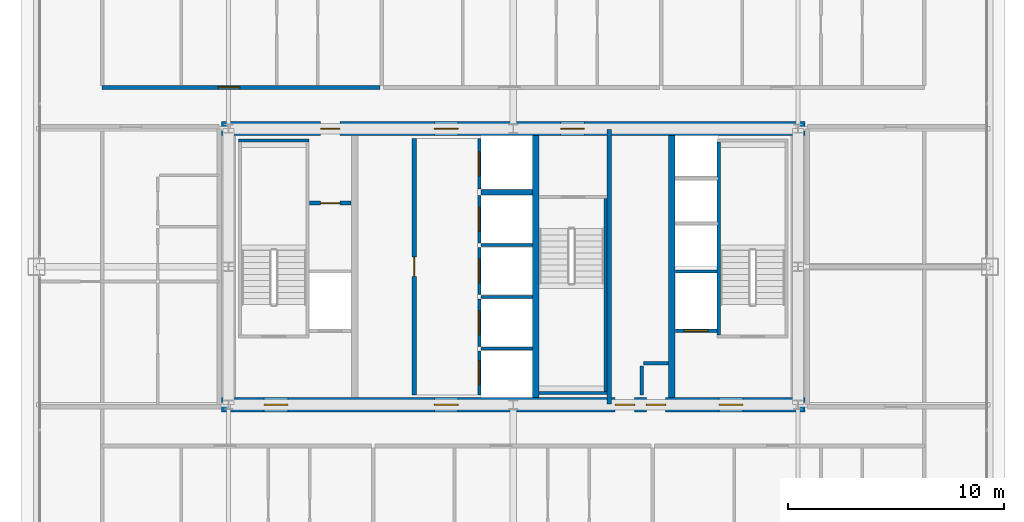
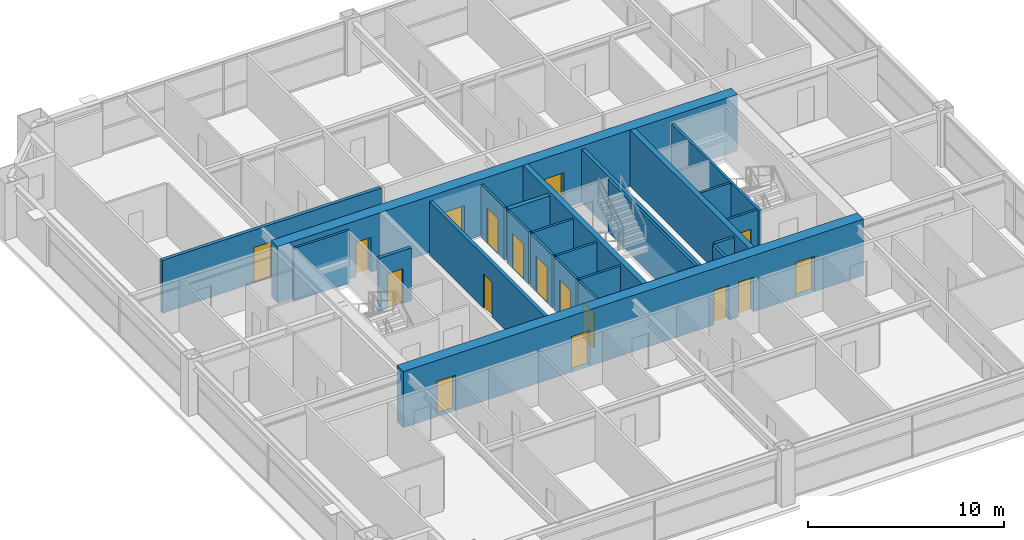
# One storey, part 34 of 38: 25 walls, 17 doors, 17 openings.
"""IFC4 building model written with IfcOpenShell, lengths in metres."""

from ifc_helpers import new_model, si_unit, direction, frame, frame_2d, origin, place, context, subcontext, project, spatial, rectangle, extrude, source, transform, mapped, material, layer, layer_set, type_object, element, fill, save


model = new_model("IFC4")

# Units and contexts
model_context = context("Model", 3, precision=1e-05, world=origin(), true_north=direction((0.0, 1.0)))
body_context = subcontext(model_context, "Body", "Model", "MODEL_VIEW")
ifc_project = project(units=[si_unit("LENGTHUNIT", "METRE"), si_unit("AREAUNIT", "SQUARE_METRE"), si_unit("VOLUMEUNIT", "CUBIC_METRE"), si_unit("PLANEANGLEUNIT", "RADIAN"), si_unit("MASSUNIT", "GRAM", prefix="KILO"), si_unit("THERMODYNAMICTEMPERATUREUNIT", "KELVIN"), si_unit("POWERUNIT", "WATT")], contexts=[model_context])

# Site, building, storey
site_placement = place(None, origin())
site = spatial("IfcSite", under=ifc_project, at=site_placement, CompositionType="ELEMENT")
building_placement = place(site_placement, origin())
building = spatial("IfcBuilding", under=site, at=building_placement, Name="Yuzanri Waterfront Tower", CompositionType="ELEMENT")
storey_placement = place(building_placement, frame((0.0, 0.0, 209.0)))
storey = spatial("IfcBuildingStorey", under=building, at=storey_placement, Name="L55", CompositionType="ELEMENT", Elevation=209.0)

# Wall, openings, doors
ifc_material_1 = material(Name="Concrete C50", Category="concrete")
ifc_layer_1 = layer(ifc_material_1, 0.64990234375)
ifc_layer_set_1 = layer_set([ifc_layer_1], Name="Concrete C50")
wall_type_1 = type_object("IfcWallType", Name="Concrete C50 Mid Zone Core Shear Wall 650", PredefinedType="SHEAR", material=ifc_layer_set_1)
wall_1_placement = place(storey_placement, frame((23.47509765625, 19.39990234375, 0.0), z_axis=(0.0, 0.0, 1.0), x_axis=(1.0, 0.0, 0.0)))
wall_1 = element("IfcWall", 1, at=wall_1_placement, inside=storey, type_object=wall_type_1, Name="L55 Core South Shear Wall", PredefinedType="SHEAR", context=body_context, shape_type="SweptSolid", body=[
    extrude(rectangle(XDim=27.0498046875, YDim=0.64990234375, at=frame_2d((13.52490234375, 0.0))), origin(), (0.0, 0.0, 1.0), 3.5),
])
opening_1_placement = place(wall_1_placement, frame((1.97509765625, 0.0, 0.0)))
opening_1 = element("IfcOpeningElement", 2, at=opening_1_placement, cuts=wall_1, Name="Opening FD-1100", PredefinedType="OPENING", context=body_context, shape_type="SweptSolid", body=[
    extrude(rectangle(XDim=1.10009765625, YDim=2.199951171875, at=frame_2d((0.550048828125, 1.10009765625))), frame((0.0, 0.33984375, 0.0), z_axis=(0.0, -1.0, 0.0), x_axis=(1.0, 0.0, 0.0)), (0.0, 0.0, 1.0), 0.6796875),
])
opening_2_placement = place(wall_1_placement, frame((9.875, 0.0, 0.0)))
opening_2 = element("IfcOpeningElement", 3, at=opening_2_placement, cuts=wall_1, Name="Opening FD-1100", PredefinedType="OPENING", context=body_context, shape_type="SweptSolid", body=[
    extrude(rectangle(XDim=1.10009765625, YDim=2.199951171875, at=frame_2d((0.550048828125, 1.10009765625))), frame((0.0, 0.33984375, 0.0), z_axis=(0.0, -1.0, 0.0), x_axis=(1.0, 0.0, 0.0)), (0.0, 0.0, 1.0), 0.6796875),
])
opening_3_placement = place(wall_1_placement, frame((23.074951171875, 0.0, 0.0)))
opening_3 = element("IfcOpeningElement", 4, at=opening_3_placement, cuts=wall_1, Name="Opening FD-1100", PredefinedType="OPENING", context=body_context, shape_type="SweptSolid", body=[
    extrude(rectangle(XDim=1.10009765625, YDim=2.199951171875, at=frame_2d((0.550048828125, 1.10009765625))), frame((0.0, 0.33984375, 0.0), z_axis=(0.0, -1.0, 0.0), x_axis=(1.0, 0.0, 0.0)), (0.0, 0.0, 1.0), 0.6796875),
])
opening_4_placement = place(wall_1_placement, frame((19.695068359375, 0.0, 0.0)))
opening_4 = element("IfcOpeningElement", 5, at=opening_4_placement, cuts=wall_1, Name="Opening FD-0900", PredefinedType="OPENING", context=body_context, shape_type="SweptSolid", body=[
    extrude(rectangle(XDim=0.89990234375, YDim=2.14990234375, at=frame_2d((0.449951171875, 1.074951171875))), frame((0.0, 0.33984375, 0.0), z_axis=(0.0, -1.0, 0.0), x_axis=(1.0, 0.0, 0.0)), (0.0, 0.0, 1.0), 0.6796875),
])
opening_5_placement = place(wall_1_placement, frame((18.2548828125, 0.0, 0.0)))
opening_5 = element("IfcOpeningElement", 6, at=opening_5_placement, cuts=wall_1, Name="Opening FD-0900", PredefinedType="OPENING", context=body_context, shape_type="SweptSolid", body=[
    extrude(rectangle(XDim=0.89990234375, YDim=2.14990234375, at=frame_2d((0.449951171875, 1.074951171875))), frame((0.0, 0.33984375, 0.0), z_axis=(0.0, -1.0, 0.0), x_axis=(1.0, 0.0, 0.0)), (0.0, 0.0, 1.0), 0.6796875),
])
ifc_material_2 = material(Name="Painted Galvanized Fire Steel", Category="steel")
door_type_1 = type_object("IfcDoorType", Name="Smoke-Proof Stair and Lobby Fire Door 1100x2200", OperationType="NOTDEFINED", PredefinedType="DOOR", material=ifc_material_2)
shared_shape_1 = source(origin(), body_context, "Body", "SweptSolid", [
    extrude(rectangle(XDim=1.10009765625, YDim=2.199951171875, at=frame_2d((0.550048828125, 1.10009765625))), frame((0.0, 0.02490234375, 0.0), z_axis=(0.0, -1.0, 0.0), x_axis=(1.0, 0.0, 0.0)), (0.0, 0.0, 1.0), 0.050048828125),
])
door_1_placement = place(opening_1_placement, origin())
door_1 = element("IfcDoor", 7, at=door_1_placement, inside=storey, type_object=door_type_1, Name="L55 West Firefighting Lobby Door", OperationType="SINGLE_SWING_RIGHT", OverallHeight=2.199951171875, OverallWidth=1.10009765625, PredefinedType="DOOR", context=body_context, shape_type="MappedRepresentation", body=[
    mapped(shared_shape_1, transform((0.0, 0.0, 0.0), scale=1.0)),
])
fill(opening_1, door_1)
door_2_placement = place(opening_2_placement, origin())
door_2 = element("IfcDoor", 8, at=door_2_placement, inside=storey, type_object=door_type_1, Name="L55 Central Lift Lobby South Door", OperationType="SINGLE_SWING_LEFT", OverallHeight=2.199951171875, OverallWidth=1.10009765625, PredefinedType="DOOR", context=body_context, shape_type="MappedRepresentation", body=[
    mapped(shared_shape_1, transform((0.0, 0.0, 0.0), scale=1.0)),
])
fill(opening_2, door_2)
door_3_placement = place(opening_3_placement, origin())
door_3 = element("IfcDoor", 9, at=door_3_placement, inside=storey, type_object=door_type_1, Name="L55 East Firefighting Lobby Door", OperationType="SINGLE_SWING_RIGHT", OverallHeight=2.199951171875, OverallWidth=1.10009765625, PredefinedType="DOOR", context=body_context, shape_type="MappedRepresentation", body=[
    mapped(shared_shape_1, transform((0.0, 0.0, 0.0), scale=1.0)),
])
fill(opening_3, door_3)
ifc_material_3 = material(Name="Painted Galvanized Fire Steel", Category="steel")
door_type_2 = type_object("IfcDoorType", Name="Riser and Service Room Fire Door 900x2150", OperationType="NOTDEFINED", PredefinedType="DOOR", material=ifc_material_3)
shared_shape_2 = source(origin(), body_context, "Body", "SweptSolid", [
    extrude(rectangle(XDim=0.89990234375, YDim=2.14990234375, at=frame_2d((0.449951171875, 1.074951171875))), frame((0.0, 0.02490234375, 0.0), z_axis=(0.0, -1.0, 0.0), x_axis=(1.0, 0.0, 0.0)), (0.0, 0.0, 1.0), 0.050048828125),
])
door_4_placement = place(opening_4_placement, origin())
door_4 = element("IfcDoor", 10, at=door_4_placement, inside=storey, type_object=door_type_2, Name="L55 East Wet Riser Door", OperationType="SINGLE_SWING_RIGHT", OverallHeight=2.14990234375, OverallWidth=0.89990234375, PredefinedType="DOOR", context=body_context, shape_type="MappedRepresentation", body=[
    mapped(shared_shape_2, transform((0.0, 0.0, 0.0), scale=1.0)),
])
fill(opening_4, door_4)
door_5_placement = place(opening_5_placement, origin())
door_5 = element("IfcDoor", 11, at=door_5_placement, inside=storey, type_object=door_type_2, Name="L55 Cleaners Store Room", OperationType="SINGLE_SWING_LEFT", OverallHeight=2.14990234375, OverallWidth=0.89990234375, PredefinedType="DOOR", context=body_context, shape_type="MappedRepresentation", body=[
    mapped(shared_shape_2, transform((0.0, 0.0, 0.0), scale=1.0)),
])
fill(opening_5, door_5)

wall_2_placement = place(storey_placement, frame((23.47509765625, 32.199951171875, 0.0), z_axis=(0.0, 0.0, 1.0), x_axis=(1.0, 0.0, 0.0)))
wall_2 = element("IfcWall", 12, at=wall_2_placement, inside=storey, type_object=wall_type_1, Name="L55 Core North Shear Wall", PredefinedType="SHEAR", context=body_context, shape_type="SweptSolid", body=[
    extrude(rectangle(XDim=27.0498046875, YDim=0.64990234375, at=frame_2d((13.52490234375, 0.0))), origin(), (0.0, 0.0, 1.0), 3.5),
])
opening_6_placement = place(wall_2_placement, frame((4.594970703125, 0.0, 0.0)))
opening_6 = element("IfcOpeningElement", 13, at=opening_6_placement, cuts=wall_2, Name="Opening FD-0900", PredefinedType="OPENING", context=body_context, shape_type="SweptSolid", body=[
    extrude(rectangle(XDim=0.89990234375, YDim=2.14990234375, at=frame_2d((0.449951171875, 1.074951171875))), frame((0.0, 0.33984375, 0.0), z_axis=(0.0, -1.0, 0.0), x_axis=(1.0, 0.0, 0.0)), (0.0, 0.0, 1.0), 0.6796875),
])
opening_7_placement = place(wall_2_placement, frame((9.875, 0.0, 0.0)))
opening_7 = element("IfcOpeningElement", 14, at=opening_7_placement, cuts=wall_2, Name="Opening FD-1100", PredefinedType="OPENING", context=body_context, shape_type="SweptSolid", body=[
    extrude(rectangle(XDim=1.10009765625, YDim=2.199951171875, at=frame_2d((0.550048828125, 1.10009765625))), frame((0.0, 0.33984375, 0.0), z_axis=(0.0, -1.0, 0.0), x_axis=(1.0, 0.0, 0.0)), (0.0, 0.0, 1.0), 0.6796875),
])
opening_8_placement = place(wall_2_placement, frame((15.72509765625, 0.0, 0.0)))
opening_8 = element("IfcOpeningElement", 15, at=opening_8_placement, cuts=wall_2, Name="Opening FD-1100", PredefinedType="OPENING", context=body_context, shape_type="SweptSolid", body=[
    extrude(rectangle(XDim=1.10009765625, YDim=2.199951171875, at=frame_2d((0.550048828125, 1.10009765625))), frame((0.0, 0.33984375, 0.0), z_axis=(0.0, -1.0, 0.0), x_axis=(1.0, 0.0, 0.0)), (0.0, 0.0, 1.0), 0.6796875),
])
door_6_placement = place(opening_7_placement, origin())
door_6 = element("IfcDoor", 16, at=door_6_placement, inside=storey, type_object=door_type_1, Name="L55 Central Lift Lobby North Door", OperationType="SINGLE_SWING_RIGHT", OverallHeight=2.199951171875, OverallWidth=1.10009765625, PredefinedType="DOOR", context=body_context, shape_type="MappedRepresentation", body=[
    mapped(shared_shape_1, transform((0.0, 0.0, 0.0), scale=1.0)),
])
fill(opening_7, door_6)
door_7_placement = place(opening_8_placement, origin())
door_7 = element("IfcDoor", 17, at=door_7_placement, inside=storey, type_object=door_type_1, Name="L55 North Stair Lobby Door", OperationType="SINGLE_SWING_LEFT", OverallHeight=2.199951171875, OverallWidth=1.10009765625, PredefinedType="DOOR", context=body_context, shape_type="MappedRepresentation", body=[
    mapped(shared_shape_1, transform((0.0, 0.0, 0.0), scale=1.0)),
])
fill(opening_8, door_7)
door_8_placement = place(opening_6_placement, origin())
door_8 = element("IfcDoor", 18, at=door_8_placement, inside=storey, type_object=door_type_2, Name="L55 Telecom Riser Door", OperationType="SINGLE_SWING_LEFT", OverallHeight=2.14990234375, OverallWidth=0.89990234375, PredefinedType="DOOR", context=body_context, shape_type="MappedRepresentation", body=[
    mapped(shared_shape_2, transform((0.0, 0.0, 0.0), scale=1.0)),
])
fill(opening_6, door_8)

# Wall, opening, door
ifc_material_4 = material(Name="Concrete C40", Category="concrete")
ifc_layer_2 = layer(ifc_material_4, 0.139892578125)
ifc_layer_set_2 = layer_set([ifc_layer_2], Name="Concrete C40")
wall_type_2 = type_object("IfcWallType", Name="Core Stair Liner and Hoistway Shaft Wall 140", PredefinedType="SOLIDWALL", material=ifc_layer_set_2)
wall_3_placement = place(storey_placement, frame((44.52001953125, 22.830078125, 0.0), z_axis=(0.0, 0.0, 1.0), x_axis=(1.0, 0.0, 0.0)))
wall_3 = element("IfcWall", 19, at=wall_3_placement, inside=storey, type_object=wall_type_2, Name="L55 Lift FL-02 Front Shaft Wall", PredefinedType="SOLIDWALL", context=body_context, shape_type="SweptSolid", body=[
    extrude(rectangle(XDim=1.919921875, YDim=0.139892578125, at=frame_2d((0.9599609375, 0.0))), origin(), (0.0, 0.0, 1.0), 3.280029296875),
])
opening_9_placement = place(wall_3_placement, frame((0.409912109375, 0.0, 0.0)))
opening_9 = element("IfcOpeningElement", 20, at=opening_9_placement, cuts=wall_3, Name="Opening LD-FL-02", PredefinedType="OPENING", context=body_context, shape_type="SweptSolid", body=[
    extrude(rectangle(XDim=1.10009765625, YDim=2.199951171875, at=frame_2d((0.550048828125, 1.10009765625))), frame((0.0, 0.0849609375, 0.0), z_axis=(0.0, -1.0, 0.0), x_axis=(1.0, 0.0, 0.0)), (0.0, 0.0, 1.0), 0.169677734375),
])
ifc_material_5 = material(Name="Brushed Bronze and Stainless Steel Cab", Category="steel")
door_type_3 = type_object("IfcDoorType", Name="Center-Parting Bronze Lift Landing Sliding Door 1100x2200", OperationType="NOTDEFINED", PredefinedType="DOOR", material=ifc_material_5)
shared_shape_3 = source(origin(), body_context, "Body", "SweptSolid", [
    extrude(rectangle(XDim=1.10009765625, YDim=2.199951171875, at=frame_2d((0.550048828125, 1.10009765625))), frame((0.0, 0.02490234375, 0.0), z_axis=(0.0, -1.0, 0.0), x_axis=(1.0, 0.0, 0.0)), (0.0, 0.0, 1.0), 0.050048828125),
])
door_9_placement = place(opening_9_placement, origin())
door_9 = element("IfcDoor", 21, at=door_9_placement, inside=storey, type_object=door_type_3, Name="L55 FL-02 Lift Landing Sliding Door", OperationType="SLIDING_TO_RIGHT", OverallHeight=2.199951171875, OverallWidth=1.10009765625, PredefinedType="DOOR", context=body_context, shape_type="MappedRepresentation", body=[
    mapped(shared_shape_3, transform((0.0, 0.0, 0.0), scale=1.0)),
])
fill(opening_9, door_9)

wall_4_placement = place(storey_placement, frame((35.429931640625, 19.860107421875, 0.0), z_axis=(0.0, 0.0, 1.0), x_axis=(0.0, 1.0, 0.0)))
wall_4 = element("IfcWall", 22, at=wall_4_placement, inside=storey, type_object=wall_type_2, Name="L55 Lift PL-05 Front Shaft Wall", PredefinedType="SOLIDWALL", context=body_context, shape_type="SweptSolid", body=[
    extrude(rectangle(XDim=2.039794921875, YDim=0.139892578125, at=frame_2d((1.02001953125, 0.0))), origin(), (0.0, 0.0, 1.0), 3.280029296875),
])
opening_10_placement = place(wall_4_placement, frame((0.469970703125, 0.0, 0.0)))
opening_10 = element("IfcOpeningElement", 23, at=opening_10_placement, cuts=wall_4, Name="Opening LD-PL-05", PredefinedType="OPENING", context=body_context, shape_type="SweptSolid", body=[
    extrude(rectangle(XDim=1.10009765625, YDim=2.199951171875, at=frame_2d((0.550048828125, 1.10009765625))), frame((0.0, 0.0849609375, 0.0), z_axis=(0.0, -1.0, 0.0), x_axis=(1.0, 0.0, 0.0)), (0.0, 0.0, 1.0), 0.169677734375),
])
door_10_placement = place(opening_10_placement, origin())
door_10 = element("IfcDoor", 24, at=door_10_placement, inside=storey, type_object=door_type_3, Name="L55 PL-05 Lift Landing Sliding Door", OperationType="SLIDING_TO_RIGHT", OverallHeight=2.199951171875, OverallWidth=1.10009765625, PredefinedType="DOOR", context=body_context, shape_type="MappedRepresentation", body=[
    mapped(shared_shape_3, transform((0.0, 0.0, 0.0), scale=1.0)),
])
fill(opening_10, door_10)

wall_5_placement = place(storey_placement, frame((35.429931640625, 22.10009765625, 0.0), z_axis=(0.0, 0.0, 1.0), x_axis=(0.0, 1.0, 0.0)))
wall_5 = element("IfcWall", 25, at=wall_5_placement, inside=storey, type_object=wall_type_2, Name="L55 Lift PL-06 Front Shaft Wall", PredefinedType="SOLIDWALL", context=body_context, shape_type="SweptSolid", body=[
    extrude(rectangle(XDim=2.199951171875, YDim=0.139892578125, at=frame_2d((1.10009765625, 0.0))), origin(), (0.0, 0.0, 1.0), 3.280029296875),
])
opening_11_placement = place(wall_5_placement, frame((0.550048828125, 0.0, 0.0)))
opening_11 = element("IfcOpeningElement", 26, at=opening_11_placement, cuts=wall_5, Name="Opening LD-PL-06", PredefinedType="OPENING", context=body_context, shape_type="SweptSolid", body=[
    extrude(rectangle(XDim=1.10009765625, YDim=2.199951171875, at=frame_2d((0.550048828125, 1.10009765625))), frame((0.0, 0.0849609375, 0.0), z_axis=(0.0, -1.0, 0.0), x_axis=(1.0, 0.0, 0.0)), (0.0, 0.0, 1.0), 0.169677734375),
])
door_11_placement = place(opening_11_placement, origin())
door_11 = element("IfcDoor", 27, at=door_11_placement, inside=storey, type_object=door_type_3, Name="L55 PL-06 Lift Landing Sliding Door", OperationType="SLIDING_TO_LEFT", OverallHeight=2.199951171875, OverallWidth=1.10009765625, PredefinedType="DOOR", context=body_context, shape_type="MappedRepresentation", body=[
    mapped(shared_shape_3, transform((0.0, 0.0, 0.0), scale=1.0)),
])
fill(opening_11, door_11)

wall_6_placement = place(storey_placement, frame((35.429931640625, 24.5, 0.0), z_axis=(0.0, 0.0, 1.0), x_axis=(0.0, 1.0, 0.0)))
wall_6 = element("IfcWall", 28, at=wall_6_placement, inside=storey, type_object=wall_type_2, Name="L55 Lift PL-07 Front Shaft Wall", PredefinedType="SOLIDWALL", context=body_context, shape_type="SweptSolid", body=[
    extrude(rectangle(XDim=2.199951171875, YDim=0.139892578125, at=frame_2d((1.10009765625, 0.0))), origin(), (0.0, 0.0, 1.0), 3.280029296875),
])
opening_12_placement = place(wall_6_placement, frame((0.550048828125, 0.0, 0.0)))
opening_12 = element("IfcOpeningElement", 29, at=opening_12_placement, cuts=wall_6, Name="Opening LD-PL-07", PredefinedType="OPENING", context=body_context, shape_type="SweptSolid", body=[
    extrude(rectangle(XDim=1.10009765625, YDim=2.199951171875, at=frame_2d((0.550048828125, 1.10009765625))), frame((0.0, 0.0849609375, 0.0), z_axis=(0.0, -1.0, 0.0), x_axis=(1.0, 0.0, 0.0)), (0.0, 0.0, 1.0), 0.169677734375),
])
door_12_placement = place(opening_12_placement, origin())
door_12 = element("IfcDoor", 30, at=door_12_placement, inside=storey, type_object=door_type_3, Name="L55 PL-07 Lift Landing Sliding Door", OperationType="SLIDING_TO_RIGHT", OverallHeight=2.199951171875, OverallWidth=1.10009765625, PredefinedType="DOOR", context=body_context, shape_type="MappedRepresentation", body=[
    mapped(shared_shape_3, transform((0.0, 0.0, 0.0), scale=1.0)),
])
fill(opening_12, door_12)

wall_7_placement = place(storey_placement, frame((35.429931640625, 26.89990234375, 0.0), z_axis=(0.0, 0.0, 1.0), x_axis=(0.0, 1.0, 0.0)))
wall_7 = element("IfcWall", 31, at=wall_7_placement, inside=storey, type_object=wall_type_2, Name="L55 Lift PL-08 Front Shaft Wall", PredefinedType="SOLIDWALL", context=body_context, shape_type="SweptSolid", body=[
    extrude(rectangle(XDim=2.2001953125, YDim=0.139892578125, at=frame_2d((1.10009765625, 0.0))), origin(), (0.0, 0.0, 1.0), 3.280029296875),
])
opening_13_placement = place(wall_7_placement, frame((0.550048828125, 0.0, 0.0)))
opening_13 = element("IfcOpeningElement", 32, at=opening_13_placement, cuts=wall_7, Name="Opening LD-PL-08", PredefinedType="OPENING", context=body_context, shape_type="SweptSolid", body=[
    extrude(rectangle(XDim=1.10009765625, YDim=2.199951171875, at=frame_2d((0.550048828125, 1.10009765625))), frame((0.0, 0.0849609375, 0.0), z_axis=(0.0, -1.0, 0.0), x_axis=(1.0, 0.0, 0.0)), (0.0, 0.0, 1.0), 0.169677734375),
])
door_13_placement = place(opening_13_placement, origin())
door_13 = element("IfcDoor", 33, at=door_13_placement, inside=storey, type_object=door_type_3, Name="L55 PL-08 Lift Landing Sliding Door", OperationType="SLIDING_TO_LEFT", OverallHeight=2.199951171875, OverallWidth=1.10009765625, PredefinedType="DOOR", context=body_context, shape_type="MappedRepresentation", body=[
    mapped(shared_shape_3, transform((0.0, 0.0, 0.0), scale=1.0)),
])
fill(opening_13, door_13)

wall_8_placement = place(storey_placement, frame((35.429931640625, 29.39990234375, 0.0), z_axis=(0.0, 0.0, 1.0), x_axis=(0.0, 1.0, 0.0)))
wall_8 = element("IfcWall", 34, at=wall_8_placement, inside=storey, type_object=wall_type_2, Name="L55 Lift SL-02 Front Shaft Wall", PredefinedType="SOLIDWALL", context=body_context, shape_type="SweptSolid", body=[
    extrude(rectangle(XDim=2.340087890625, YDim=0.139892578125, at=frame_2d((1.169921875, 0.0))), origin(), (0.0, 0.0, 1.0), 3.280029296875),
])
opening_14_placement = place(wall_8_placement, frame((0.6201171875, 0.0, 0.0)))
opening_14 = element("IfcOpeningElement", 35, at=opening_14_placement, cuts=wall_8, Name="Opening LD-SL-02", PredefinedType="OPENING", context=body_context, shape_type="SweptSolid", body=[
    extrude(rectangle(XDim=1.10009765625, YDim=2.199951171875, at=frame_2d((0.550048828125, 1.10009765625))), frame((0.0, 0.0849609375, 0.0), z_axis=(0.0, -1.0, 0.0), x_axis=(1.0, 0.0, 0.0)), (0.0, 0.0, 1.0), 0.169677734375),
])
door_14_placement = place(opening_14_placement, origin())
door_14 = element("IfcDoor", 36, at=door_14_placement, inside=storey, type_object=door_type_3, Name="L55 SL-02 Lift Landing Sliding Door", OperationType="SLIDING_TO_RIGHT", OverallHeight=2.199951171875, OverallWidth=1.10009765625, PredefinedType="DOOR", context=body_context, shape_type="MappedRepresentation", body=[
    mapped(shared_shape_3, transform((0.0, 0.0, 0.0), scale=1.0)),
])
fill(opening_14, door_14)

ifc_material_6 = material(Name="Autoclaved Aerated Concrete Blockwork", Category="masonry")
ifc_layer_3 = layer(ifc_material_6, 0.199951171875)
ifc_layer_set_3 = layer_set([ifc_layer_3], Name="Autoclaved Aerated Concrete Blockwork")
wall_type_3 = type_object("IfcWallType", Name="Corridor and Unit Party Fire Wall 200", PredefinedType="PARTITIONING", material=ifc_layer_set_3)
wall_9_placement = place(storey_placement, frame((27.56005859375, 28.75, 0.0), z_axis=(0.0, 0.0, 1.0), x_axis=(1.0, 0.0, 0.0)))
wall_9 = element("IfcWall", 37, at=wall_9_placement, inside=storey, type_object=wall_type_3, Name="L55 Partition CRW-L55-ERTR", PredefinedType="PARTITIONING", context=body_context, shape_type="SweptSolid", body=[
    extrude(rectangle(XDim=1.919921875, YDim=0.199951171875, at=frame_2d((0.9599609375, 0.0))), origin(), (0.0, 0.0, 1.0), 3.280029296875),
])
opening_15_placement = place(wall_9_placement, frame((0.510009765625, 0.0, 0.0)))
opening_15 = element("IfcOpeningElement", 38, at=opening_15_placement, cuts=wall_9, Name="Opening FD-0900", PredefinedType="OPENING", context=body_context, shape_type="SweptSolid", body=[
    extrude(rectangle(XDim=0.89990234375, YDim=2.14990234375, at=frame_2d((0.449951171875, 1.074951171875))), frame((0.0, 0.11474609375, 0.0), z_axis=(0.0, -1.0, 0.0), x_axis=(1.0, 0.0, 0.0)), (0.0, 0.0, 1.0), 0.229736328125),
])
door_15_placement = place(opening_15_placement, origin())
door_15 = element("IfcDoor", 39, at=door_15_placement, inside=storey, type_object=door_type_2, Name="L55 Electrical Riser Door", OperationType="SINGLE_SWING_RIGHT", OverallHeight=2.14990234375, OverallWidth=0.89990234375, PredefinedType="DOOR", context=body_context, shape_type="MappedRepresentation", body=[
    mapped(shared_shape_2, transform((0.0, 0.0, 0.0), scale=1.0)),
])
fill(opening_15, door_15)

wall_10_placement = place(storey_placement, frame((32.419921875, 19.860107421875, 0.0), z_axis=(0.0, 0.0, 1.0), x_axis=(0.0, 1.0, 0.0)))
wall_10 = element("IfcWall", 40, at=wall_10_placement, inside=storey, type_object=wall_type_3, Name="L55 Partition CRW-L55-B1R-1", PredefinedType="PARTITIONING", context=body_context, shape_type="SweptSolid", body=[
    extrude(rectangle(XDim=11.8798828125, YDim=0.199951171875, at=frame_2d((5.93994140625, 0.0))), origin(), (0.0, 0.0, 1.0), 3.280029296875),
])
opening_16_placement = place(wall_10_placement, frame((5.489990234375, 0.0, 0.0)))
opening_16 = element("IfcOpeningElement", 41, at=opening_16_placement, cuts=wall_10, Name="Opening FD-0900", PredefinedType="OPENING", context=body_context, shape_type="SweptSolid", body=[
    extrude(rectangle(XDim=0.89990234375, YDim=2.14990234375, at=frame_2d((0.449951171875, 1.074951171875))), frame((0.0, 0.11474609375, 0.0), z_axis=(0.0, -1.0, 0.0), x_axis=(1.0, 0.0, 0.0)), (0.0, 0.0, 1.0), 0.229736328125),
])
door_16_placement = place(opening_16_placement, origin())
door_16 = element("IfcDoor", 42, at=door_16_placement, inside=storey, type_object=door_type_2, Name="L55 Private Store Room", OperationType="SINGLE_SWING_LEFT", OverallHeight=2.14990234375, OverallWidth=0.89990234375, PredefinedType="DOOR", context=body_context, shape_type="MappedRepresentation", body=[
    mapped(shared_shape_2, transform((0.0, 0.0, 0.0), scale=1.0)),
])
fill(opening_16, door_16)

wall_11_placement = place(storey_placement, frame((17.93994140625, 34.110107421875, 0.0), z_axis=(0.0, 0.0, 1.0), x_axis=(1.0, 0.0, 0.0)))
wall_11 = element("IfcWall", 43, at=wall_11_placement, inside=storey, type_object=wall_type_3, Name="L55 Partition UW-L55-RN1-CS", PredefinedType="PARTITIONING", context=body_context, shape_type="SweptSolid", body=[
    extrude(rectangle(XDim=12.881103515625, YDim=0.199951171875, at=frame_2d((6.4404296875, 0.0))), origin(), (0.0, 0.0, 1.0), 3.280029296875),
])
opening_17_placement = place(wall_11_placement, frame((5.385009765625, 0.0, 0.0)))
opening_17 = element("IfcOpeningElement", 44, at=opening_17_placement, cuts=wall_11, Name="Opening FD-1000", PredefinedType="OPENING", context=body_context, shape_type="SweptSolid", body=[
    extrude(rectangle(XDim=1.0, YDim=2.199951171875, at=frame_2d((0.5, 1.10009765625))), frame((0.0, 0.11474609375, 0.0), z_axis=(0.0, -1.0, 0.0), x_axis=(1.0, 0.0, 0.0)), (0.0, 0.0, 1.0), 0.229736328125),
])
ifc_material_7 = material(Name="Engineered Oak Fire-Rated Timber", Category="wood")
door_type_4 = type_object("IfcDoorType", Name="Guestroom and Apartment Entrance Fire Door 1000x2200", OperationType="NOTDEFINED", PredefinedType="DOOR", material=ifc_material_7)
shared_shape_4 = source(origin(), body_context, "Body", "SweptSolid", [
    extrude(rectangle(XDim=1.0, YDim=2.199951171875, at=frame_2d((0.5, 1.10009765625))), frame((0.0, 0.02490234375, 0.0), z_axis=(0.0, -1.0, 0.0), x_axis=(1.0, 0.0, 0.0)), (0.0, 0.0, 1.0), 0.050048828125),
])
door_17_placement = place(opening_17_placement, origin())
door_17 = element("IfcDoor", 45, at=door_17_placement, inside=storey, type_object=door_type_4, Name="L55 Apartment Living Room Entrance Door", OperationType="SINGLE_SWING_LEFT", OverallHeight=2.199951171875, OverallWidth=1.0, PredefinedType="DOOR", context=body_context, shape_type="MappedRepresentation", body=[
    mapped(shared_shape_4, transform((0.0, 0.0, 0.0), scale=1.0)),
])
fill(opening_17, door_17)

# Walls
ifc_material_8 = material(Name="Concrete C50", Category="concrete")
ifc_layer_4 = layer(ifc_material_8, 0.300048828125)
ifc_layer_set_4 = layer_set([ifc_layer_4], Name="Concrete C50")
wall_type_4 = type_object("IfcWallType", Name="Concrete C50 Internal Core Shaft Structural Wall 300", PredefinedType="SOLIDWALL", material=ifc_layer_set_4)
shared_shape_5 = source(origin(), body_context, "Body", "SweptSolid", [
    extrude(rectangle(XDim=12.14990234375, YDim=0.300048828125, at=frame_2d((6.074951171875, 0.0))), origin(), (0.0, 0.0, 1.0), 3.5),
])
for number, where, z_axis, x_axis, name in (
    (46, (38.050048828125, 19.72509765625, 0.0), (0.0, 0.0, 1.0), (0.0, 1.0, 0.0), "L55 Core Internal Structural Web Wall 2"),
    (47, (44.35009765625, 19.72509765625, 0.0), (0.0, 0.0, 1.0), (0.0, 1.0, 0.0), "L55 Core Internal Structural Web Wall 3"),
):
    element("IfcWall", number, at=place(storey_placement, frame(where, z_axis=z_axis, x_axis=x_axis)), inside=storey, type_object=wall_type_4, Name=name, PredefinedType="SOLIDWALL", context=body_context, shape_type="MappedRepresentation", body=[
        mapped(shared_shape_5, transform((0.0, 0.0, 0.0), scale=1.0)),
    ])
shared_shape_6 = source(origin(), body_context, "Body", "SweptSolid", [
    extrude(rectangle(XDim=1.919921875, YDim=0.139892578125, at=frame_2d((0.9599609375, 0.0))), origin(), (0.0, 0.0, 1.0), 3.280029296875),
])
wall_12_placement = place(storey_placement, frame((44.52001953125, 25.570068359375, 0.0), z_axis=(0.0, 0.0, 1.0), x_axis=(1.0, 0.0, 0.0)))
element("IfcWall", 48, at=wall_12_placement, inside=storey, type_object=wall_type_2, Name="L55 Lift FL-02 Back Shaft Wall", PredefinedType="SOLIDWALL", context=body_context, shape_type="MappedRepresentation", body=[
    mapped(shared_shape_6, transform((0.0, 0.0, 0.0), scale=1.0)),
])
shared_shape_7 = source(origin(), body_context, "Body", "SweptSolid", [
    extrude(rectangle(XDim=2.39990234375, YDim=0.139892578125, at=frame_2d((1.199951171875, 0.0))), origin(), (0.0, 0.0, 1.0), 3.280029296875),
])
for number, where, z_axis, x_axis, name in (
    (49, (35.5, 22.0, 0.0), (0.0, 0.0, 1.0), (1.0, 0.0, 0.0), "L55 Lift PL-05 Divider Wall"),
    (50, (35.5, 24.39990234375, 0.0), (0.0, 0.0, 1.0), (1.0, 0.0, 0.0), "L55 Lift PL-06 Divider Wall"),
    (51, (35.5, 26.800048828125, 0.0), (0.0, 0.0, 1.0), (1.0, 0.0, 0.0), "L55 Lift PL-07 Divider Wall"),
):
    element("IfcWall", number, at=place(storey_placement, frame(where, z_axis=z_axis, x_axis=x_axis)), inside=storey, type_object=wall_type_2, Name=name, PredefinedType="SOLIDWALL", context=body_context, shape_type="MappedRepresentation", body=[
        mapped(shared_shape_7, transform((0.0, 0.0, 0.0), scale=1.0)),
    ])
ifc_material_9 = material(Name="Concrete C40", Category="concrete")
ifc_layer_5 = layer(ifc_material_9, 0.25)
ifc_layer_set_5 = layer_set([ifc_layer_5], Name="Concrete C40")
wall_type_5 = type_object("IfcWallType", Name="Smoke-Proof Stair and Lift Shaft Wall 250", PredefinedType="SOLIDWALL", material=ifc_layer_set_5)
shared_shape_8 = source(origin(), body_context, "Body", "SweptSolid", [
    extrude(rectangle(XDim=2.39990234375, YDim=0.25, at=frame_2d((1.199951171875, 0.0))), origin(), (0.0, 0.0, 1.0), 3.280029296875),
])
wall_13_placement = place(storey_placement, frame((35.5, 29.25, 0.0), z_axis=(0.0, 0.0, 1.0), x_axis=(1.0, 0.0, 0.0)))
element("IfcWall", 52, at=wall_13_placement, inside=storey, type_object=wall_type_5, Name="L55 Lift SL-02 South Shaft Wall", PredefinedType="SOLIDWALL", context=body_context, shape_type="MappedRepresentation", body=[
    mapped(shared_shape_8, transform((0.0, 0.0, 0.0), scale=1.0)),
])
shared_shape_9 = source(origin(), body_context, "Body", "SweptSolid", [
    extrude(rectangle(XDim=3.280029296875, YDim=0.139892578125, at=frame_2d((1.64013671875, 0.0))), origin(), (0.0, 0.0, 1.0), 3.280029296875),
])
wall_14_placement = place(storey_placement, frame((24.260009765625, 31.64990234375, 0.0), z_axis=(0.0, 0.0, 1.0), x_axis=(1.0, 0.0, 0.0)))
element("IfcWall", 53, at=wall_14_placement, inside=storey, type_object=wall_type_2, Name="L55 Stair ST-01 North Shaft Wall", PredefinedType="SOLIDWALL", context=body_context, shape_type="MappedRepresentation", body=[
    mapped(shared_shape_9, transform((0.0, 0.0, 0.0), scale=1.0)),
])
shared_shape_10 = source(origin(), body_context, "Body", "SweptSolid", [
    extrude(rectangle(XDim=8.940185546875, YDim=0.139892578125, at=frame_2d((4.47021484375, 0.0))), origin(), (0.0, 0.0, 1.0), 3.280029296875),
])
wall_15_placement = place(storey_placement, frame((46.530029296875, 22.639892578125, 0.0), z_axis=(0.0, 0.0, 1.0), x_axis=(0.0, 1.0, 0.0)))
element("IfcWall", 54, at=wall_15_placement, inside=storey, type_object=wall_type_2, Name="L55 Stair ST-02 West Shaft Wall", PredefinedType="SOLIDWALL", context=body_context, shape_type="MappedRepresentation", body=[
    mapped(shared_shape_10, transform((0.0, 0.0, 0.0), scale=1.0)),
])
shared_shape_11 = source(origin(), body_context, "Body", "SweptSolid", [
    extrude(rectangle(XDim=3.14013671875, YDim=0.139892578125, at=frame_2d((1.570068359375, 0.0))), origin(), (0.0, 0.0, 1.0), 3.280029296875),
])
wall_16_placement = place(storey_placement, frame((38.199951171875, 19.949951171875, 0.0), z_axis=(0.0, 0.0, 1.0), x_axis=(1.0, 0.0, 0.0)))
element("IfcWall", 55, at=wall_16_placement, inside=storey, type_object=wall_type_2, Name="L55 Stair ST-03 South Shaft Wall", PredefinedType="SOLIDWALL", context=body_context, shape_type="MappedRepresentation", body=[
    mapped(shared_shape_11, transform((0.0, 0.0, 0.0), scale=1.0)),
])
shared_shape_12 = source(origin(), body_context, "Body", "SweptSolid", [
    extrude(rectangle(XDim=8.93994140625, YDim=0.139892578125, at=frame_2d((4.469970703125, 0.0))), origin(), (0.0, 0.0, 1.0), 3.280029296875),
])
wall_17_placement = place(storey_placement, frame((41.27001953125, 20.02001953125, 0.0), z_axis=(0.0, 0.0, 1.0), x_axis=(0.0, 1.0, 0.0)))
element("IfcWall", 56, at=wall_17_placement, inside=storey, type_object=wall_type_2, Name="L55 Stair ST-03 East Shaft Wall", PredefinedType="SOLIDWALL", context=body_context, shape_type="MappedRepresentation", body=[
    mapped(shared_shape_12, transform((0.0, 0.0, 0.0), scale=1.0)),
])
ifc_material_10 = material(Name="Gypsum Fireboard Acoustic Stud Wall", Category="gypsum")
ifc_layer_6 = layer(ifc_material_10, 0.159912109375)
ifc_layer_set_6 = layer_set([ifc_layer_6], Name="Gypsum Fireboard Acoustic Stud Wall")
wall_type_6 = type_object("IfcWallType", Name="Acoustic Suite Demising Partition 160", PredefinedType="PARTITIONING", material=ifc_layer_set_6)
shared_shape_13 = source(origin(), body_context, "Body", "SweptSolid", [
    extrude(rectangle(XDim=1.33984375, YDim=0.159912109375, at=frame_2d((0.669921875, 0.0))), origin(), (0.0, 0.0, 1.0), 3.280029296875),
])
wall_18_placement = place(storey_placement, frame((42.949951171875, 19.860107421875, 0.0), z_axis=(0.0, 0.0, 1.0), x_axis=(0.0, 1.0, 0.0)))
element("IfcWall", 57, at=wall_18_placement, inside=storey, type_object=wall_type_6, Name="L55 East Wet Riser West Wall", PredefinedType="PARTITIONING", context=body_context, shape_type="MappedRepresentation", body=[
    mapped(shared_shape_13, transform((0.0, 0.0, 0.0), scale=1.0)),
])
shared_shape_14 = source(origin(), body_context, "Body", "SweptSolid", [
    extrude(rectangle(XDim=1.169921875, YDim=0.159912109375, at=frame_2d((0.5849609375, 0.0))), origin(), (0.0, 0.0, 1.0), 3.280029296875),
])
wall_19_placement = place(storey_placement, frame((43.030029296875, 21.320068359375, 0.0), z_axis=(0.0, 0.0, 1.0), x_axis=(1.0, 0.0, 0.0)))
element("IfcWall", 58, at=wall_19_placement, inside=storey, type_object=wall_type_6, Name="L55 East Wet Riser North Wall", PredefinedType="PARTITIONING", context=body_context, shape_type="MappedRepresentation", body=[
    mapped(shared_shape_14, transform((0.0, 0.0, 0.0), scale=1.0)),
])
shared_shape_15 = source(origin(), body_context, "Body", "SweptSolid", [
    extrude(rectangle(XDim=12.719970703125, YDim=0.199951171875, at=frame_2d((6.35986328125, 0.0))), origin(), (0.0, 0.0, 1.0), 3.280029296875),
])
wall_20_placement = place(storey_placement, frame((41.449951171875, 19.43994140625, 0.0), z_axis=(0.0, 0.0, 1.0), x_axis=(0.0, 1.0, 0.0)))
element("IfcWall", 59, at=wall_20_placement, inside=storey, type_object=wall_type_3, Name="L55 Core BOH West Wall 1", PredefinedType="PARTITIONING", context=body_context, shape_type="MappedRepresentation", body=[
    mapped(shared_shape_15, transform((0.0, 0.0, 0.0), scale=1.0)),
])

save(model, "model.ifc")
